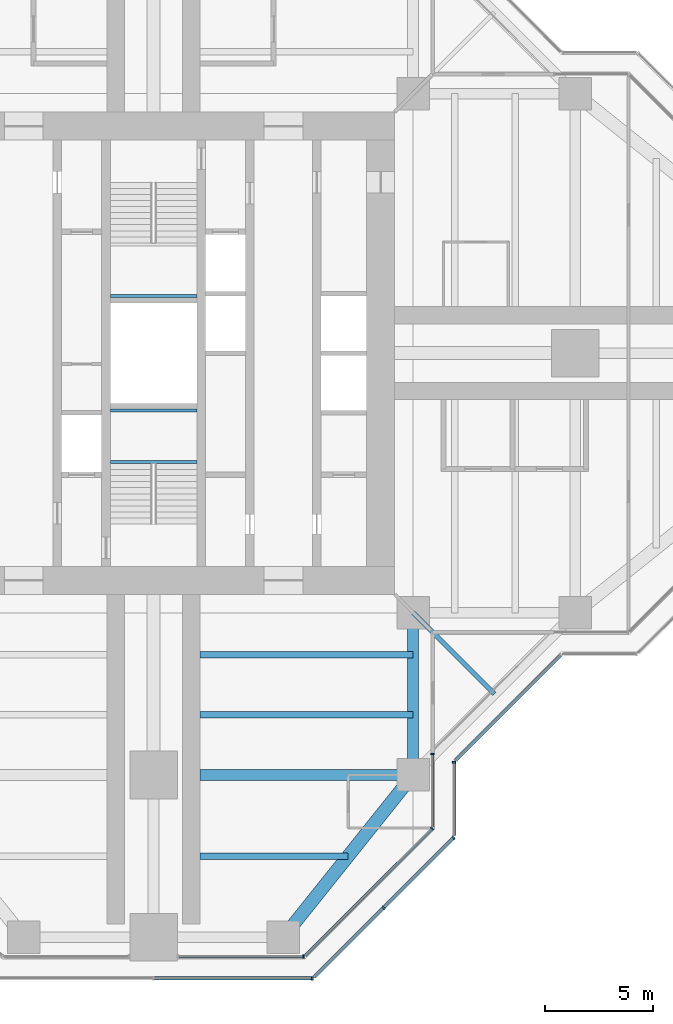
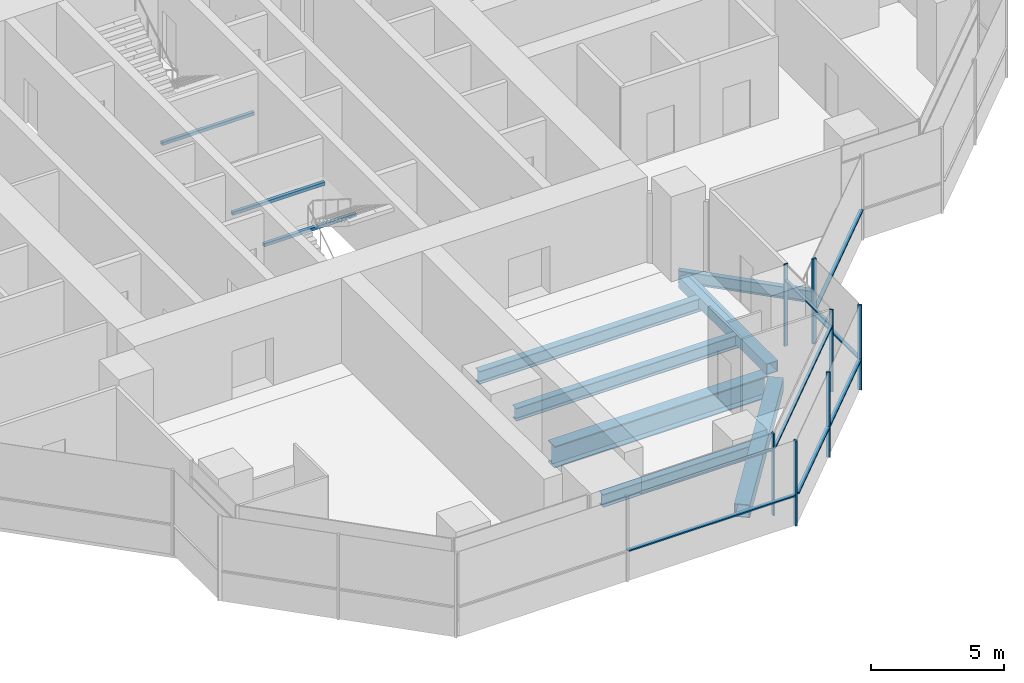
# One storey, part 4 of 17: 15 members, 10 beams, 7 elements without a shape of their own.
"""IFC4 building model written with IfcOpenShell, lengths in metres."""

import ifcopenshell
import ifcopenshell.guid

model = None  # the IFC model being written
_history = None  # IfcOwnerHistory: only IFC2X3 demands one
_inside = {}  # id of a spatial element -> (the spatial element, [elements in it])
_under = {}  # id of a project, library or spatial element -> (it, [spatial elements below it])
_declared = {}  # id of a project -> (the project, [libraries it declares])
_typed = {}  # id of a type object -> (the type object, [elements of that type])
_made_of = {}  # id of a material, layer set ... -> (it, [elements and type objects made of it])


def new_model(schema):
    """Start an empty IFC model of exactly this schema.

    Asked for "IFC4X3", IfcOpenShell would pick the latest addendum, in which some entities
    have other attributes; the version numbers below select the first issue.
    IFC2X3 requires an IfcOwnerHistory on every rooted entity: one is made here for all.
    """
    global model, _history
    if schema == "IFC4X3":
        model = ifcopenshell.file(schema_version=(4, 3, 0, 0))
    else:
        model = ifcopenshell.file(schema=schema)
    _inside.clear()
    _under.clear()
    _declared.clear()
    _typed.clear()
    _made_of.clear()
    _history = None
    if model.schema == "IFC2X3":
        org = make("IfcOrganization", Name="unknown")
        user = make(
            "IfcPersonAndOrganization",
            ThePerson=make("IfcPerson", FamilyName="unknown"),
            TheOrganization=org,
        )
        app = make(
            "IfcApplication",
            ApplicationDeveloper=org,
            Version="unknown",
            ApplicationFullName="unknown",
            ApplicationIdentifier="unknown",
        )
        _history = make(
            "IfcOwnerHistory",
            OwningUser=user,
            OwningApplication=app,
            ChangeAction="ADDED",
            CreationDate=0,
        )
    return model


def make(cls, **values):
    """One entity of the class cls with the attributes given. An attribute that is None is left unset."""
    return model.create_entity(
        cls, **{name: value for name, value in values.items() if value is not None}
    )


def rooted(cls, **values):
    """An entity with a GlobalId (a new one), such as an element, a storey or a relation."""
    return make(cls, GlobalId=ifcopenshell.guid.new(), OwnerHistory=_history, **values)


def si_unit(unit_type, name, prefix=None):
    """IfcSIUnit, for example si_unit("LENGTHUNIT", "METRE", prefix="MILLI")."""
    return make("IfcSIUnit", UnitType=unit_type, Prefix=prefix, Name=name)


def assignment(units):
    """IfcUnitAssignment: the units of a project."""
    return None if units is None else make("IfcUnitAssignment", Units=units)


def point(xyz):
    """IfcCartesianPoint."""
    return None if xyz is None else make("IfcCartesianPoint", Coordinates=xyz)


def direction(xyz):
    """IfcDirection."""
    return None if xyz is None else make("IfcDirection", DirectionRatios=xyz)


def frame(location, z_axis=None, x_axis=None):
    """IfcAxis2Placement3D, a coordinate frame: its origin and axes. An axis left out is left unset."""
    return make(
        "IfcAxis2Placement3D",
        Location=point(location),
        Axis=direction(z_axis),
        RefDirection=direction(x_axis),
    )


def frame_2d(location, x_axis=None):
    """IfcAxis2Placement2D, a coordinate frame in the plane: its origin and x axis."""
    return make(
        "IfcAxis2Placement2D", Location=point(location), RefDirection=direction(x_axis)
    )


def origin():
    """The frame at (0, 0, 0) with its axes left unset."""
    return frame((0.0, 0.0, 0.0))


def origin_2d():
    """The frame at (0, 0) in the plane with its x axis left unset."""
    return frame_2d((0.0, 0.0))


def place(relative_to, where):
    """IfcLocalPlacement: puts the frame where relative to a parent placement (None: the world)."""
    return make(
        "IfcLocalPlacement", PlacementRelTo=relative_to, RelativePlacement=where
    )


def context(
    kind, dimensions, precision=None, world=None, true_north=None, identifier=None
):
    """IfcGeometricRepresentationContext, for example the 3D "Model" context."""
    return make(
        "IfcGeometricRepresentationContext",
        ContextIdentifier=identifier,
        ContextType=kind,
        CoordinateSpaceDimension=dimensions,
        Precision=precision,
        WorldCoordinateSystem=world,
        TrueNorth=true_north,
    )


def subcontext(parent, identifier, kind, view, scale=None):
    """IfcGeometricRepresentationSubContext, for example "Body" below "Model"."""
    return make(
        "IfcGeometricRepresentationSubContext",
        ContextIdentifier=identifier,
        ContextType=kind,
        ParentContext=parent,
        TargetScale=scale,
        TargetView=view,
    )


def project(units=None, contexts=None):
    """IfcProject with its units and contexts."""
    return rooted(
        "IfcProject",
        Name="project",
        RepresentationContexts=contexts,
        UnitsInContext=assignment(units),
    )


def spatial(cls, under=None, at=None, **own):
    """A site, building, storey or space (cls), placed at a placement, below another one or the project."""
    s = rooted(cls, ObjectPlacement=at, **own)
    if under is not None:
        _under.setdefault(under.id(), (under, []))[1].append(s)
    return s


def profile(cls, at=None, kind="AREA", **sizes):
    """A parametric profile (cls). Its sizes go by their IFC names, for example OverallWidth=200.0."""
    return make(cls, ProfileType=kind, Position=at, **sizes)


def rectangle(**sizes):
    """IfcRectangleProfileDef."""
    return profile("IfcRectangleProfileDef", **sizes)


def hollow_rectangle(**sizes):
    """IfcRectangleHollowProfileDef."""
    return profile("IfcRectangleHollowProfileDef", **sizes)


def i_section(**sizes):
    """IfcIShapeProfileDef."""
    return profile("IfcIShapeProfileDef", **sizes)


def extrude(swept, where, along, depth):
    """IfcExtrudedAreaSolid: the profile swept, set in the frame where, extruded along a direction by depth."""
    return make(
        "IfcExtrudedAreaSolid",
        SweptArea=swept,
        Position=where,
        ExtrudedDirection=direction(along),
        Depth=depth,
    )


def shape(context_of_items, identifier, shape_type, items):
    """IfcShapeRepresentation: the items that make up one representation, for example the "Body"."""
    return make(
        "IfcShapeRepresentation",
        ContextOfItems=context_of_items,
        RepresentationIdentifier=identifier,
        RepresentationType=shape_type,
        Items=items,
    )


def material(Name=None, Category=None):
    """IfcMaterial."""
    return make("IfcMaterial", Name=Name, Category=Category)


def material_profile(
    of_material, cross_section, Name=None, Category=None, Priority=None
):
    """IfcMaterialProfile: a cross section and its material."""
    return make(
        "IfcMaterialProfile",
        Name=Name,
        Material=of_material,
        Profile=cross_section,
        Priority=Priority,
        Category=Category,
    )


def profile_set(profiles, Name=None, composite=None):
    """IfcMaterialProfileSet."""
    return make(
        "IfcMaterialProfileSet",
        Name=Name,
        MaterialProfiles=profiles,
        CompositeProfile=composite,
    )


def made_of(thing, what):
    """Note that an element or type object is made of a material, layer set ...; save() writes the relation."""
    if what is not None:
        _made_of.setdefault(what.id(), (what, []))[1].append(thing)
    return thing


def type_object(cls, material=None, **own):
    """A type object (cls), such as IfcWallType, which elements share."""
    return made_of(rooted(cls, **own), material)


def element(
    cls,
    number,
    at=None,
    inside=None,
    cuts=None,
    type_object=None,
    material=None,
    context=None,
    identifier="Body",
    shape_type=None,
    held_by="IfcProductDefinitionShape",
    body=None,
    shapes=None,
    **own,
):
    """One element of the class cls, such as IfcWall. Its Tag is "e" and its number.

    at: its placement. inside: the storey or other place that contains it. cuts: it is an
    opening in that element (IfcRelVoidsElement). A single representation is given by context,
    identifier, shape_type and body (its items); several are given by shapes. held_by: the class
    of the entity that holds the representations. save() writes the other relations.
    """
    e = rooted(cls, Tag="e%d" % number, ObjectPlacement=at, **own)
    if body is not None:
        shapes = [shape(context, identifier, shape_type, body)]
    if shapes is not None:
        e.Representation = make(held_by, Representations=shapes)
    if inside is not None:
        _inside.setdefault(inside.id(), (inside, []))[1].append(e)
    if cuts is not None:
        rooted(
            "IfcRelVoidsElement", RelatingBuildingElement=cuts, RelatedOpeningElement=e
        )
    if type_object is not None:
        _typed.setdefault(type_object.id(), (type_object, []))[1].append(e)
    return made_of(e, material)


def aggregate(whole, parts):
    """IfcRelAggregates: a whole, such as a stair, and the parts it consists of."""
    return rooted("IfcRelAggregates", RelatingObject=whole, RelatedObjects=parts)


def save(model, path):
    """Write the relations noted so far, then the file.

    IfcRelAggregates (storeys below a building ...), IfcRelContainedInSpatialStructure (elements
    in a storey), IfcRelDefinesByType, IfcRelAssociatesMaterial and IfcRelDeclares: one each for
    every whole, place, type object, material and project.
    """
    for whole, parts in _under.values():
        aggregate(whole, parts)
    for where, things in _inside.values():
        rooted(
            "IfcRelContainedInSpatialStructure",
            RelatedElements=things,
            RelatingStructure=where,
        )
    for kind, things in _typed.values():
        rooted("IfcRelDefinesByType", RelatedObjects=things, RelatingType=kind)
    for what, things in _made_of.values():
        rooted("IfcRelAssociatesMaterial", RelatedObjects=things, RelatingMaterial=what)
    for by, libraries in _declared.values():
        rooted("IfcRelDeclares", RelatingContext=by, RelatedDefinitions=libraries)
    model.write(path)


model = new_model("IFC4")

# Units and contexts
model_context = context("Model", 3, precision=1e-05, world=origin(), true_north=direction((0.0, 1.0)))
body_context = subcontext(model_context, "Body", "Model", "MODEL_VIEW")
ifc_project = project(units=[si_unit("LENGTHUNIT", "METRE"), si_unit("AREAUNIT", "SQUARE_METRE"), si_unit("VOLUMEUNIT", "CUBIC_METRE"), si_unit("PLANEANGLEUNIT", "RADIAN"), si_unit("MASSUNIT", "GRAM", prefix="KILO")], contexts=[model_context])

# Site, building, storey
site_placement = place(None, origin())
site = spatial("IfcSite", under=ifc_project, at=site_placement, CompositionType="ELEMENT")
building_placement = place(site_placement, origin())
building = spatial("IfcBuilding", under=site, at=building_placement, Name="Mizan Broadcast Tower", CompositionType="ELEMENT")
storey_placement = place(building_placement, frame((0.0, 0.0, 232.199951171875)))
storey = spatial("IfcBuildingStorey", under=building, at=storey_placement, Name="L54", CompositionType="ELEMENT", Elevation=232.199951171875)

# Beams
ifc_material_1 = material(Name="Steel S355", Category="steel")
ifc_material_profile_1 = material_profile(ifc_material_1, hollow_rectangle(XDim=0.5, YDim=0.5, WallThickness=0.030029296875, at=origin_2d()), Name="BOX 500x500x30")
ifc_profile_set_1 = profile_set([ifc_material_profile_1], Name="Steel S355")
beam_type_1 = type_object("IfcBeamType", Name="EDGE BEAM BOX 500x500x30", PredefinedType="SPANDREL", material=ifc_profile_set_1)
beam_1_placement = place(storey_placement, frame((12.0, -12.449951171875, -0.3798828125), z_axis=(0.0, -1.0, 0.0), x_axis=(1.0, 0.0, 0.0)))
element("IfcBeam", 1, at=beam_1_placement, inside=storey, type_object=beam_type_1, Name="Edge beam BOX 500x500x30 L54 south arm", PredefinedType="SPANDREL", context=body_context, shape_type="SweptSolid", body=[
    extrude(hollow_rectangle(XDim=0.5, YDim=0.5, WallThickness=0.030029296875, at=origin_2d()), origin(), (0.0, 0.0, 1.0), 6.60009765625),
])
ifc_material_2 = material(Name="Steel S355", Category="steel")
ifc_material_profile_2 = material_profile(ifc_material_2, hollow_rectangle(XDim=0.60009765625, YDim=0.60009765625, WallThickness=0.030029296875, at=origin_2d()), Name="BOX 600x600x30")
ifc_profile_set_2 = profile_set([ifc_material_profile_2], Name="Steel S355")
beam_type_2 = type_object("IfcBeamType", Name="EDGE BEAM BOX 600x600x30", PredefinedType="SPANDREL", material=ifc_profile_set_2)
beam_2_placement = place(storey_placement, frame((11.639892578125, -19.949951171875, -0.429931640625), z_axis=(-0.624673911726, -0.780885717636, 0.0), x_axis=(0.780885717636, -0.624673911726, 0.0)))
element("IfcBeam", 2, at=beam_2_placement, inside=storey, type_object=beam_type_2, Name="Edge beam BOX 600x600x30 L54 south arm", PredefinedType="SPANDREL", context=body_context, shape_type="SweptSolid", body=[
    extrude(hollow_rectangle(XDim=0.60009765625, YDim=0.60009765625, WallThickness=0.030029296875, at=origin_2d()), origin(), (0.0, 0.0, 1.0), 8.4521484375),
])
ifc_material_3 = material(Name="Steel S460", Category="steel")
ifc_material_profile_3 = material_profile(ifc_material_3, i_section(OverallWidth=0.5, OverallDepth=1.0, WebThickness=0.02490234375, FlangeThickness=0.050048828125, at=origin_2d()), Name="WPG 1000x500")
ifc_profile_set_3 = profile_set([ifc_material_profile_3], Name="Steel S460")
beam_type_3 = type_object("IfcBeamType", Name="GIRDER WPG 1000x500", PredefinedType="BEAM", material=ifc_profile_set_3)
beam_3_placement = place(storey_placement, frame((11.408935546875, -19.5, -0.6298828125), z_axis=(-1.0, 0.0, 0.0), x_axis=(0.0, -1.0, 0.0)))
element("IfcBeam", 3, at=beam_3_placement, inside=storey, type_object=beam_type_3, Name="Girder WPG 1000x500 L54 south arm", PredefinedType="BEAM", context=body_context, shape_type="SweptSolid", body=[
    extrude(i_section(OverallWidth=0.5, OverallDepth=1.0, WebThickness=0.02490234375, FlangeThickness=0.050048828125, at=origin_2d()), origin(), (0.0, 0.0, 1.0), 9.259033203125),
])

# Curtain wall, member
ifc_material_4 = material(Name="Aluminium framed glazing", Category="aluminium")
curtain_wall_type_1 = type_object("IfcCurtainWallType", Name="INNER SKIN HIGH ZONE", PredefinedType="USERDEFINED", material=ifc_material_4)
curtain_wall_1_placement = place(storey_placement, origin())
curtain_wall_1 = element("IfcCurtainWall", 4, at=curtain_wall_1_placement, inside=storey, type_object=curtain_wall_type_1, Name="Inner skin high zone L54 S end", ObjectType="INNER SKIN HIGH ZONE", PredefinedType="USERDEFINED")
ifc_material_5 = material(Name="Aluminium, pale anodised", Category="aluminium")
ifc_material_profile_4 = material_profile(ifc_material_5, rectangle(XDim=0.159912109375, YDim=0.06005859375, at=origin_2d()), Name="MULLION 160x60")
ifc_profile_set_4 = profile_set([ifc_material_profile_4], Name="Aluminium, pale anodised")
member_type_1 = type_object("IfcMemberType", Name="INNER SKIN MULLION 60x160", PredefinedType="MULLION", material=ifc_profile_set_4)
member_1_placement = place(storey_placement, frame((6.928466796875, -27.89990234375, 0.0), z_axis=(0.0, 0.0, 1.0), x_axis=(0.0, 1.0, 0.0)))
member_1 = element("IfcMember", 5, at=member_1_placement, type_object=member_type_1, Name="Inner skin high zone L54 S end mullion 2", PredefinedType="MULLION", context=body_context, shape_type="SweptSolid", body=[
    extrude(rectangle(XDim=0.159912109375, YDim=0.06005859375, at=origin_2d()), origin(), (0.0, 0.0, 1.0), 3.77001953125),
])

curtain_wall_2_placement = place(storey_placement, origin())
curtain_wall_2 = element("IfcCurtainWall", 6, at=curtain_wall_2_placement, inside=storey, type_object=curtain_wall_type_1, Name="Inner skin high zone L54 S chamfer", ObjectType="INNER SKIN HIGH ZONE", PredefinedType="USERDEFINED")
member_2_placement = place(storey_placement, frame((12.87890625, -21.979736328125, 0.0), z_axis=(0.0, 0.0, 1.0), x_axis=(-0.707106781187, 0.707106781187, 0.0)))
member_2 = element("IfcMember", 7, at=member_2_placement, type_object=member_type_1, Name="Inner skin high zone L54 S chamfer mullion 2", PredefinedType="MULLION", context=body_context, shape_type="SweptSolid", body=[
    extrude(rectangle(XDim=0.159912109375, YDim=0.06005859375, at=origin_2d()), origin(), (0.0, 0.0, 1.0), 3.77001953125),
])

curtain_wall_3_placement = place(storey_placement, origin())
curtain_wall_3 = element("IfcCurtainWall", 8, at=curtain_wall_3_placement, inside=storey, type_object=curtain_wall_type_1, Name="Inner skin high zone L54 S side", ObjectType="INNER SKIN HIGH ZONE", PredefinedType="USERDEFINED")
member_3_placement = place(storey_placement, frame((12.89990234375, -18.530029296875, 0.0), z_axis=(0.0, 0.0, 1.0), x_axis=(-1.0, 0.0, 0.0)))
member_3 = element("IfcMember", 9, at=member_3_placement, type_object=member_type_1, Name="Inner skin high zone L54 S side mullion 2", PredefinedType="MULLION", context=body_context, shape_type="SweptSolid", body=[
    extrude(rectangle(XDim=0.159912109375, YDim=0.06005859375, at=origin_2d()), origin(), (0.0, 0.0, 1.0), 3.77001953125),
])

# Member
ifc_material_6 = material(Name="Aluminium, pale anodised", Category="aluminium")
ifc_material_profile_5 = material_profile(ifc_material_6, rectangle(XDim=0.1201171875, YDim=0.06005859375, at=origin_2d()), Name="TRANSOM 120x60")
ifc_profile_set_5 = profile_set([ifc_material_profile_5], Name="Aluminium, pale anodised")
member_type_2 = type_object("IfcMemberType", Name="INNER SKIN TRANSOM 60x120", PredefinedType="USERDEFINED", material=ifc_profile_set_5)
member_4_placement = place(storey_placement, frame((1.159912109375, -27.89990234375, 3.030029296875), z_axis=(1.0, 0.0, 0.0), x_axis=(0.0, 1.0, 0.0)))
member_4 = element("IfcMember", 10, at=member_4_placement, type_object=member_type_2, Name="Inner skin high zone L54 S end transom 1.1", ObjectType="TRANSOM", PredefinedType="USERDEFINED", context=body_context, shape_type="SweptSolid", body=[
    extrude(rectangle(XDim=0.1201171875, YDim=0.06005859375, at=origin_2d()), origin(), (0.0, 0.0, 1.0), 5.73876953125),
])

aggregate(curtain_wall_1, [member_1, member_4])

member_5_placement = place(storey_placement, frame((7.0009765625, -27.857666015625, 3.030029296875), z_axis=(0.707106781187, 0.707106781187, 0.0), x_axis=(-0.707106781187, 0.707106781187, 0.0)))
member_5 = element("IfcMember", 11, at=member_5_placement, type_object=member_type_2, Name="Inner skin high zone L54 S chamfer transom 1.1", ObjectType="TRANSOM", PredefinedType="USERDEFINED", context=body_context, shape_type="SweptSolid", body=[
    extrude(rectangle(XDim=0.1201171875, YDim=0.06005859375, at=origin_2d()), origin(), (0.0, 0.0, 1.0), 8.28271484375),
])

aggregate(curtain_wall_2, [member_2, member_5])

member_6_placement = place(storey_placement, frame((12.89990234375, -21.898681640625, 3.030029296875), z_axis=(0.0, 1.0, 0.0), x_axis=(-1.0, 0.0, 0.0)))
member_6 = element("IfcMember", 12, at=member_6_placement, type_object=member_type_2, Name="Inner skin high zone L54 S side transom 1.1", ObjectType="TRANSOM", PredefinedType="USERDEFINED", context=body_context, shape_type="SweptSolid", body=[
    extrude(rectangle(XDim=0.1201171875, YDim=0.06005859375, at=origin_2d()), origin(), (0.0, 0.0, 1.0), 3.338623046875),
])

aggregate(curtain_wall_3, [member_3, member_6])

# Beams
ifc_material_7 = material(Name="Steel S355", Category="steel")
ifc_material_profile_6 = material_profile(ifc_material_7, hollow_rectangle(XDim=0.14990234375, YDim=0.14990234375, WallThickness=0.008056640625, InnerFilletRadius=0.008056640625, OuterFilletRadius=0.011962890625, at=origin_2d()), Name="SHS 150x150x8")
ifc_profile_set_6 = profile_set([ifc_material_profile_6], Name="Steel S355")
beam_type_4 = type_object("IfcBeamType", Name="LANDING TRIMMER SHS 150x150x8", PredefinedType="BEAM", material=ifc_profile_set_6)
for number, where, z_axis, x_axis, name in (
    (13, (-2.0, -5.02490234375, 1.675048828125), (1.0, 0.0, 0.0), (0.0, 1.0, 0.0), "Stair A landing trimmer L54"),
    (14, (-2.0, -2.64990234375, 1.675048828125), (1.0, 0.0, 0.0), (0.0, 1.0, 0.0), "Stair A landing trimmer L54"),
    (15, (2.0, 2.64990234375, 1.675048828125), (-1.0, 0.0, 0.0), (0.0, -1.0, 0.0), "Stair B landing trimmer L54"),
):
    element("IfcBeam", number, at=place(storey_placement, frame(where, z_axis=z_axis, x_axis=x_axis)), inside=storey, type_object=beam_type_4, Name=name, PredefinedType="BEAM", context=body_context, shape_type="SweptSolid", body=[
        extrude(hollow_rectangle(XDim=0.14990234375, YDim=0.14990234375, WallThickness=0.008056640625, InnerFilletRadius=0.008056640625, OuterFilletRadius=0.011962890625, at=origin_2d()), origin(), (0.0, 0.0, 1.0), 4.0),
    ])

# Curtain wall, member
ifc_material_8 = material(Name="Aluminium framed glazing", Category="aluminium")
curtain_wall_type_2 = type_object("IfcCurtainWallType", Name="OUTER SKIN", PredefinedType="USERDEFINED", material=ifc_material_8)
curtain_wall_4_placement = place(storey_placement, origin())
curtain_wall_4 = element("IfcCurtainWall", 16, at=curtain_wall_4_placement, inside=storey, type_object=curtain_wall_type_2, Name="Outer skin L54 S end", ObjectType="OUTER SKIN", PredefinedType="USERDEFINED")
ifc_material_9 = material(Name="Aluminium, pale anodised", Category="aluminium")
ifc_material_profile_7 = material_profile(ifc_material_9, rectangle(XDim=0.159912109375, YDim=0.080078125, at=origin_2d()), Name="MULLION 160x80")
ifc_profile_set_7 = profile_set([ifc_material_profile_7], Name="Aluminium, pale anodised")
member_type_3 = type_object("IfcMemberType", Name="OUTER SKIN MULLION 80x160", PredefinedType="MULLION", material=ifc_profile_set_7)
member_7_placement = place(storey_placement, frame((7.332763671875, -28.89990234375, 0.0), z_axis=(0.0, 0.0, 1.0), x_axis=(0.0, 1.0, 0.0)))
member_7 = element("IfcMember", 17, at=member_7_placement, type_object=member_type_3, Name="Outer skin L54 S end mullion 3", PredefinedType="MULLION", context=body_context, shape_type="SweptSolid", body=[
    extrude(rectangle(XDim=0.159912109375, YDim=0.080078125, at=origin_2d()), origin(), (0.0, 0.0, 1.0), 3.900146484375),
])

# Curtain wall, members
curtain_wall_5_placement = place(storey_placement, origin())
curtain_wall_5 = element("IfcCurtainWall", 18, at=curtain_wall_5_placement, inside=storey, type_object=curtain_wall_type_2, Name="Outer skin L54 S chamfer", ObjectType="OUTER SKIN", PredefinedType="USERDEFINED")
member_8_placement = place(storey_placement, frame((10.636474609375, -25.636474609375, 0.0), z_axis=(0.0, 0.0, 1.0), x_axis=(-0.707106781187, 0.707106781187, 0.0)))
member_8 = element("IfcMember", 19, at=member_8_placement, type_object=member_type_3, Name="Outer skin L54 S chamfer mullion 2", PredefinedType="MULLION", context=body_context, shape_type="SweptSolid", body=[
    extrude(rectangle(XDim=0.159912109375, YDim=0.080078125, at=origin_2d()), origin(), (0.0, 0.0, 1.0), 3.900146484375),
])
member_9_placement = place(storey_placement, frame((13.871826171875, -22.401123046875, 0.0), z_axis=(0.0, 0.0, 1.0), x_axis=(-0.707106781187, 0.707106781187, 0.0)))
member_9 = element("IfcMember", 20, at=member_9_placement, type_object=member_type_3, Name="Outer skin L54 S chamfer mullion 3", PredefinedType="MULLION", context=body_context, shape_type="SweptSolid", body=[
    extrude(rectangle(XDim=0.159912109375, YDim=0.080078125, at=origin_2d()), origin(), (0.0, 0.0, 1.0), 3.900146484375),
])

# Curtain wall, member
curtain_wall_6_placement = place(storey_placement, origin())
curtain_wall_6 = element("IfcCurtainWall", 21, at=curtain_wall_6_placement, inside=storey, type_object=curtain_wall_type_2, Name="Outer skin L54 S side", ObjectType="OUTER SKIN", PredefinedType="USERDEFINED")
member_10_placement = place(storey_placement, frame((13.89990234375, -18.912841796875, 0.0), z_axis=(0.0, 0.0, 1.0), x_axis=(-1.0, 0.0, 0.0)))
member_10 = element("IfcMember", 22, at=member_10_placement, type_object=member_type_3, Name="Outer skin L54 S side mullion 2", PredefinedType="MULLION", context=body_context, shape_type="SweptSolid", body=[
    extrude(rectangle(XDim=0.159912109375, YDim=0.080078125, at=origin_2d()), origin(), (0.0, 0.0, 1.0), 3.900146484375),
])

# Member
ifc_material_10 = material(Name="Aluminium, pale anodised", Category="aluminium")
ifc_material_profile_8 = material_profile(ifc_material_10, rectangle(XDim=0.159912109375, YDim=0.06005859375, at=origin_2d()), Name="TRANSOM 160x60")
ifc_profile_set_8 = profile_set([ifc_material_profile_8], Name="Aluminium, pale anodised")
member_type_4 = type_object("IfcMemberType", Name="OUTER SKIN TRANSOM 60x160", PredefinedType="USERDEFINED", material=ifc_profile_set_8)
member_11_placement = place(storey_placement, frame((0.0400390625, -28.89990234375, 1.400146484375), z_axis=(1.0, 0.0, 0.0), x_axis=(0.0, 1.0, 0.0)))
member_11 = element("IfcMember", 23, at=member_11_placement, type_object=member_type_4, Name="Outer skin L54 S end transom 2.1", ObjectType="TRANSOM", PredefinedType="USERDEFINED", context=body_context, shape_type="SweptSolid", body=[
    extrude(rectangle(XDim=0.159912109375, YDim=0.06005859375, at=origin_2d()), origin(), (0.0, 0.0, 1.0), 7.252685546875),
])

aggregate(curtain_wall_4, [member_7, member_11])

member_12_placement = place(storey_placement, frame((7.429443359375, -28.843505859375, 1.400146484375), z_axis=(0.707106781187, 0.707106781187, 0.0), x_axis=(-0.707106781187, 0.707106781187, 0.0)))
member_12 = element("IfcMember", 24, at=member_12_placement, type_object=member_type_4, Name="Outer skin L54 S chamfer transom 1.1", ObjectType="TRANSOM", PredefinedType="USERDEFINED", context=body_context, shape_type="SweptSolid", body=[
    extrude(rectangle(XDim=0.159912109375, YDim=0.06005859375, at=origin_2d()), origin(), (0.0, 0.0, 1.0), 4.495361328125),
])

member_13_placement = place(storey_placement, frame((10.664794921875, -25.608154296875, 1.400146484375), z_axis=(0.707106781187, 0.707106781187, 0.0), x_axis=(-0.707106781187, 0.707106781187, 0.0)))
member_13 = element("IfcMember", 25, at=member_13_placement, type_object=member_type_4, Name="Outer skin L54 S chamfer transom 2.1", ObjectType="TRANSOM", PredefinedType="USERDEFINED", context=body_context, shape_type="SweptSolid", body=[
    extrude(rectangle(XDim=0.159912109375, YDim=0.06005859375, at=origin_2d()), origin(), (0.0, 0.0, 1.0), 4.495361328125),
])

aggregate(curtain_wall_5, [member_8, member_9, member_12, member_13])

member_14_placement = place(storey_placement, frame((13.89990234375, -22.292724609375, 1.400146484375), z_axis=(0.0, 1.0, 0.0), x_axis=(-1.0, 0.0, 0.0)))
member_14 = element("IfcMember", 26, at=member_14_placement, type_object=member_type_4, Name="Outer skin L54 S side transom 1.1", ObjectType="TRANSOM", PredefinedType="USERDEFINED", context=body_context, shape_type="SweptSolid", body=[
    extrude(rectangle(XDim=0.159912109375, YDim=0.06005859375, at=origin_2d()), origin(), (0.0, 0.0, 1.0), 3.33984375),
])

aggregate(curtain_wall_6, [member_10, member_14])

# Curtain wall, member
curtain_wall_7_placement = place(storey_placement, origin())
curtain_wall_7 = element("IfcCurtainWall", 27, at=curtain_wall_7_placement, inside=storey, type_object=curtain_wall_type_2, Name="Outer skin L54 E chamfer", ObjectType="OUTER SKIN", PredefinedType="USERDEFINED")
member_15_placement = place(storey_placement, frame((13.95654296875, -18.816162109375, 1.400146484375), z_axis=(0.707106781187, 0.707106781187, 0.0), x_axis=(-0.707106781187, 0.707106781187, 0.0)))
member_15 = element("IfcMember", 28, at=member_15_placement, type_object=member_type_4, Name="Outer skin L54 E chamfer transom 1.1", ObjectType="TRANSOM", PredefinedType="USERDEFINED", context=body_context, shape_type="SweptSolid", body=[
    extrude(rectangle(XDim=0.159912109375, YDim=0.06005859375, at=origin_2d()), origin(), (0.0, 0.0, 1.0), 6.87255859375),
])
aggregate(curtain_wall_7, [member_15])

# Beams
ifc_material_11 = material(Name="Steel S355", Category="steel")
ifc_material_profile_9 = material_profile(ifc_material_11, i_section(OverallWidth=0.300048828125, OverallDepth=0.590087890625, WebThickness=0.012939453125, FlangeThickness=0.02490234375, FilletRadius=0.027099609375, at=origin_2d()), Name="HEA 600")
ifc_profile_set_9 = profile_set([ifc_material_profile_9], Name="Steel S355")
beam_type_5 = type_object("IfcBeamType", Name="SECONDARY BEAM HEA 600", PredefinedType="JOIST", material=ifc_profile_set_9)
for number, where, z_axis, x_axis, name in (
    (29, (12.0, -13.933349609375, -0.425048828125), (-1.0, 0.0, 0.0), (0.0, -1.0, 0.0), "Secondary beam HEA 600 L54 south arm"),
    (30, (12.0, -16.716552734375, -0.425048828125), (-1.0, 0.0, 0.0), (0.0, -1.0, 0.0), "Secondary beam HEA 600 L54 south arm"),
):
    element("IfcBeam", number, at=place(storey_placement, frame(where, z_axis=z_axis, x_axis=x_axis)), inside=storey, type_object=beam_type_5, Name=name, PredefinedType="JOIST", context=body_context, shape_type="SweptSolid", body=[
        extrude(i_section(OverallWidth=0.300048828125, OverallDepth=0.590087890625, WebThickness=0.012939453125, FlangeThickness=0.02490234375, FilletRadius=0.027099609375, at=origin_2d()), origin(), (0.0, 0.0, 1.0), 9.85009765625),
    ])
beam_4_placement = place(storey_placement, frame((9.0, -23.25, -0.425048828125), z_axis=(-1.0, 0.0, 0.0), x_axis=(0.0, -1.0, 0.0)))
element("IfcBeam", 31, at=beam_4_placement, inside=storey, type_object=beam_type_5, Name="Secondary beam HEA 600 L54 south arm", PredefinedType="JOIST", context=body_context, shape_type="SweptSolid", body=[
    extrude(i_section(OverallWidth=0.300048828125, OverallDepth=0.590087890625, WebThickness=0.012939453125, FlangeThickness=0.02490234375, FilletRadius=0.027099609375, at=origin_2d()), origin(), (0.0, 0.0, 1.0), 6.85009765625),
])
ifc_material_12 = material(Name="Steel S355", Category="steel")
ifc_material_profile_10 = material_profile(ifc_material_12, i_section(OverallWidth=0.2099609375, OverallDepth=0.550048828125, WebThickness=0.010986328125, FlangeThickness=0.01708984375, FilletRadius=0.02392578125, at=origin_2d()), Name="IPE 550")
ifc_profile_set_10 = profile_set([ifc_material_profile_10], Name="Steel S355")
beam_type_6 = type_object("IfcBeamType", Name="SECONDARY BEAM IPE 550", PredefinedType="JOIST", material=ifc_profile_set_10)
beam_5_placement = place(storey_placement, frame((12.0, -12.0, -0.405029296875), z_axis=(0.707106781187, -0.707106781187, 0.0), x_axis=(0.707106781187, 0.707106781187, 0.0)))
element("IfcBeam", 32, at=beam_5_placement, inside=storey, type_object=beam_type_6, Name="Winter garden beam L54 S", PredefinedType="JOIST", context=body_context, shape_type="SweptSolid", body=[
    extrude(i_section(OverallWidth=0.2099609375, OverallDepth=0.550048828125, WebThickness=0.010986328125, FlangeThickness=0.01708984375, FilletRadius=0.02392578125, at=origin_2d()), origin(), (0.0, 0.0, 1.0), 5.30322265625),
])

save(model, "model.ifc")
